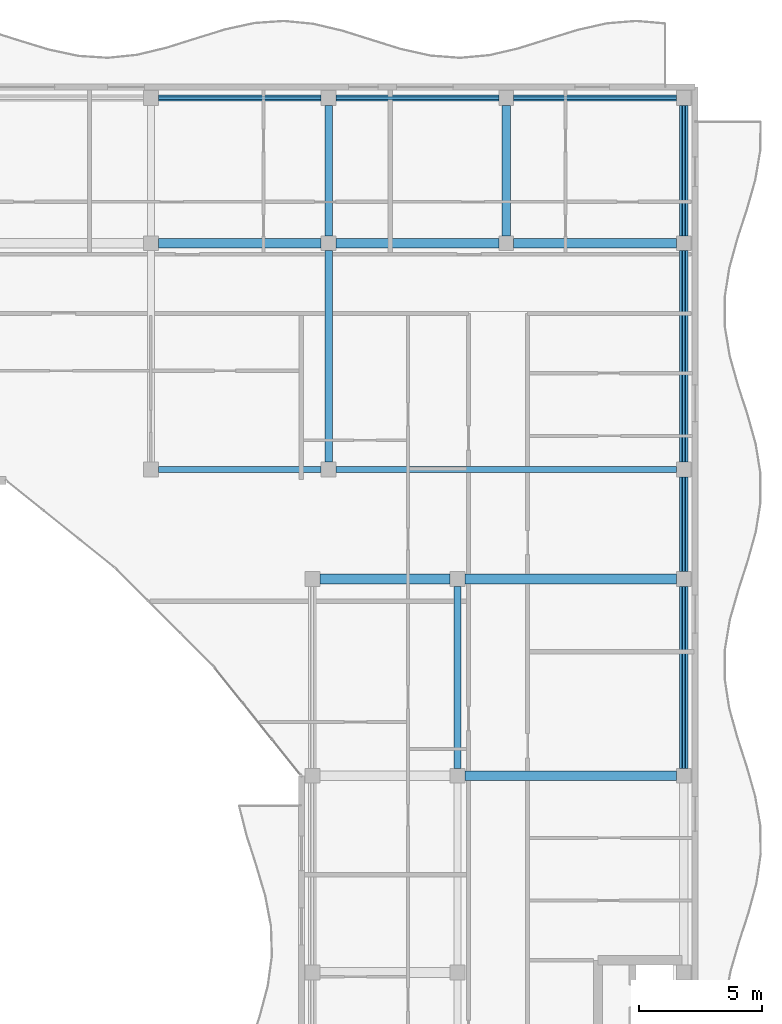
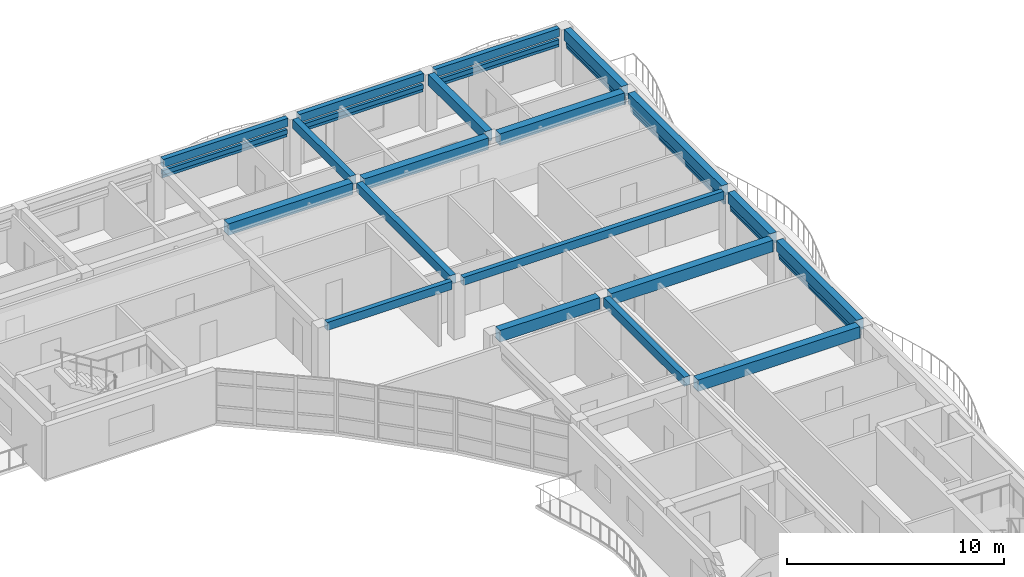
# One storey, part 21 of 71: 19 beams, 14 members.
"""IFC4 building model written with IfcOpenShell, lengths in metres."""

from ifc_helpers import new_model, si_unit, direction, frame, origin, origin_2d, place, context, subcontext, project, spatial, rectangle, hollow_rectangle, extrude, material, material_profile, profile_set, type_object, element, save


model = new_model("IFC4")

# Units and contexts
model_context = context("Model", 3, precision=1e-05, world=origin(), true_north=direction((0.0, 1.0)))
body_context = subcontext(model_context, "Body", "Model", "MODEL_VIEW")
ifc_project = project(units=[si_unit("LENGTHUNIT", "METRE"), si_unit("AREAUNIT", "SQUARE_METRE"), si_unit("VOLUMEUNIT", "CUBIC_METRE"), si_unit("PLANEANGLEUNIT", "RADIAN"), si_unit("MASSUNIT", "GRAM", prefix="KILO")], contexts=[model_context])

# Site, building, storey
site_placement = place(None, origin())
site = spatial("IfcSite", under=ifc_project, at=site_placement, CompositionType="ELEMENT")
building_placement = place(site_placement, origin())
building = spatial("IfcBuilding", under=site, at=building_placement, Name="Keldmere Railside Commons", CompositionType="ELEMENT")
storey_placement = place(building_placement, frame((0.0, 0.0, 20.159912109375)))
storey = spatial("IfcBuildingStorey", under=building, at=storey_placement, Name="L06", CompositionType="ELEMENT", Elevation=20.159912109375)

# Members
ifc_material_1 = material(Name="Steel F-36 (S355)", Category="steel")
ifc_material_profile_1 = material_profile(ifc_material_1, hollow_rectangle(XDim=0.14990234375, YDim=0.25, WallThickness=0.010009765625, at=origin_2d()), Name="RHS-250x150x10")
ifc_profile_set_1 = profile_set([ifc_material_profile_1], Name="Steel F-36 (S355)")
member_type_1 = type_object("IfcMemberType", Name="Balcony Continuous Planted Trough RHS250x150", PredefinedType="CHORD", material=ifc_profile_set_1)
for number, where, z_axis, x_axis, name in (
    (1, (162.18994140625, 115.550048828125, 2.4150390625), (1.0, 0.0, 0.0), (0.0, 1.0, 0.0), "PLT-1 MEM-BPLT-0755"),
    (2, (169.409912109375, 115.550048828125, 2.4150390625), (1.0, 0.0, 0.0), (0.0, 1.0, 0.0), "PLT-1 MEM-BPLT-0757"),
    (3, (176.6298828125, 115.550048828125, 2.4150390625), (1.0, 0.0, 0.0), (0.0, 1.0, 0.0), "PLT-1 MEM-BPLT-0759"),
):
    element("IfcMember", number, at=place(storey_placement, frame(where, z_axis=z_axis, x_axis=x_axis)), inside=storey, type_object=member_type_1, Name=name, PredefinedType="CHORD", context=body_context, shape_type="SweptSolid", body=[
        extrude(hollow_rectangle(XDim=0.14990234375, YDim=0.25, WallThickness=0.010009765625, at=origin_2d()), origin(), (0.0, 0.0, 1.0), 6.6201171875),
    ])
member_1_placement = place(storey_placement, frame((183.550048828125, 88.300048828125, 2.4150390625), z_axis=(0.0, 1.0, 0.0), x_axis=(-1.0, 0.0, 0.0)))
element("IfcMember", 4, at=member_1_placement, inside=storey, type_object=member_type_1, Name="PLT-1 MEM-BPLT-0773", PredefinedType="CHORD", context=body_context, shape_type="SweptSolid", body=[
    extrude(hollow_rectangle(XDim=0.14990234375, YDim=0.25, WallThickness=0.010009765625, at=origin_2d()), origin(), (0.0, 0.0, 1.0), 7.39990234375),
])
member_2_placement = place(storey_placement, frame((183.550048828125, 96.300048828125, 2.4150390625), z_axis=(0.0, 1.0, 0.0), x_axis=(-1.0, 0.0, 0.0)))
element("IfcMember", 5, at=member_2_placement, inside=storey, type_object=member_type_1, Name="PLT-1 MEM-BPLT-0775", PredefinedType="CHORD", context=body_context, shape_type="SweptSolid", body=[
    extrude(hollow_rectangle(XDim=0.14990234375, YDim=0.25, WallThickness=0.010009765625, at=origin_2d()), origin(), (0.0, 0.0, 1.0), 3.849853515625),
])
member_3_placement = place(storey_placement, frame((183.550048828125, 100.75, 2.4150390625), z_axis=(0.0, 1.0, 0.0), x_axis=(-1.0, 0.0, 0.0)))
element("IfcMember", 6, at=member_3_placement, inside=storey, type_object=member_type_1, Name="PLT-1 MEM-BPLT-0777", PredefinedType="CHORD", context=body_context, shape_type="SweptSolid", body=[
    extrude(hollow_rectangle(XDim=0.14990234375, YDim=0.25, WallThickness=0.010009765625, at=origin_2d()), origin(), (0.0, 0.0, 1.0), 8.60009765625),
])
member_4_placement = place(storey_placement, frame((183.550048828125, 109.949951171875, 2.4150390625), z_axis=(0.0, 1.0, 0.0), x_axis=(-1.0, 0.0, 0.0)))
element("IfcMember", 7, at=member_4_placement, inside=storey, type_object=member_type_1, Name="PLT-1 MEM-BPLT-0779", PredefinedType="CHORD", context=body_context, shape_type="SweptSolid", body=[
    extrude(hollow_rectangle(XDim=0.14990234375, YDim=0.25, WallThickness=0.010009765625, at=origin_2d()), origin(), (0.0, 0.0, 1.0), 5.300048828125),
])

# Beams
ifc_material_2 = material(Name="Architectural Precast Concrete H-35 (C35/45)", Category="concrete")
ifc_material_profile_2 = material_profile(ifc_material_2, rectangle(XDim=0.25, YDim=0.449951171875, at=origin_2d()), Name="RC-250x450")
ifc_profile_set_2 = profile_set([ifc_material_profile_2], Name="Architectural Precast Concrete H-35 (C35/45)")
beam_type_1 = type_object("IfcBeamType", Name="Perimeter Precast Spandrel Beam 250x450", PredefinedType="SPANDREL", material=ifc_profile_set_2)
beam_1_placement = place(storey_placement, frame((162.18994140625, 100.449951171875, 2.97509765625), z_axis=(1.0, 0.0, 0.0), x_axis=(0.0, 1.0, 0.0)))
element("IfcBeam", 8, at=beam_1_placement, inside=storey, type_object=beam_type_1, Name="SPB-1 BM-L06-1905", PredefinedType="SPANDREL", context=body_context, shape_type="SweptSolid", body=[
    extrude(rectangle(XDim=0.25, YDim=0.449951171875, at=origin_2d()), origin(), (0.0, 0.0, 1.0), 6.6201171875),
])
beam_2_placement = place(storey_placement, frame((169.409912109375, 100.449951171875, 2.97509765625), z_axis=(1.0, 0.0, 0.0), x_axis=(0.0, 1.0, 0.0)))
element("IfcBeam", 9, at=beam_2_placement, inside=storey, type_object=beam_type_1, Name="SPB-1 BM-L06-1906", PredefinedType="SPANDREL", context=body_context, shape_type="SweptSolid", body=[
    extrude(rectangle(XDim=0.25, YDim=0.449951171875, at=origin_2d()), origin(), (0.0, 0.0, 1.0), 13.840087890625),
])
for number, where, z_axis, x_axis, name in (
    (10, (162.18994140625, 115.550048828125, 2.97509765625), (1.0, 0.0, 0.0), (0.0, 1.0, 0.0), "SPB-1 BM-L06-1939"),
    (11, (169.409912109375, 115.550048828125, 2.97509765625), (1.0, 0.0, 0.0), (0.0, 1.0, 0.0), "SPB-1 BM-L06-1940"),
    (12, (176.6298828125, 115.550048828125, 2.97509765625), (1.0, 0.0, 0.0), (0.0, 1.0, 0.0), "SPB-1 BM-L06-1941"),
):
    element("IfcBeam", number, at=place(storey_placement, frame(where, z_axis=z_axis, x_axis=x_axis)), inside=storey, type_object=beam_type_1, Name=name, PredefinedType="SPANDREL", context=body_context, shape_type="SweptSolid", body=[
        extrude(rectangle(XDim=0.25, YDim=0.449951171875, at=origin_2d()), origin(), (0.0, 0.0, 1.0), 6.6201171875),
    ])
ifc_material_3 = material(Name="Concrete H-30 (C30/37)", Category="concrete")
ifc_material_profile_3 = material_profile(ifc_material_3, rectangle(XDim=0.35009765625, YDim=0.60009765625, at=origin_2d()), Name="RC-350x600")
ifc_profile_set_3 = profile_set([ifc_material_profile_3], Name="Concrete H-30 (C30/37)")
beam_type_2 = type_object("IfcBeamType", Name="Residential Chord RC Beam 350x600", PredefinedType="BEAM", material=ifc_profile_set_3)
beam_3_placement = place(storey_placement, frame((176.330078125, 109.949951171875, 2.900146484375), z_axis=(0.0, 1.0, 0.0), x_axis=(-1.0, 0.0, 0.0)))
element("IfcBeam", 13, at=beam_3_placement, inside=storey, type_object=beam_type_2, Name="BG-4 BM-L06-2013", PredefinedType="BEAM", context=body_context, shape_type="SweptSolid", body=[
    extrude(rectangle(XDim=0.35009765625, YDim=0.60009765625, at=origin_2d()), origin(), (0.0, 0.0, 1.0), 5.300048828125),
])
beam_4_placement = place(storey_placement, frame((183.550048828125, 88.300048828125, 2.900146484375), z_axis=(0.0, 1.0, 0.0), x_axis=(-1.0, 0.0, 0.0)))
element("IfcBeam", 14, at=beam_4_placement, inside=storey, type_object=beam_type_2, Name="BG-4 BM-L06-2016", PredefinedType="BEAM", context=body_context, shape_type="SweptSolid", body=[
    extrude(rectangle(XDim=0.35009765625, YDim=0.60009765625, at=origin_2d()), origin(), (0.0, 0.0, 1.0), 7.39990234375),
])
beam_5_placement = place(storey_placement, frame((183.550048828125, 96.300048828125, 2.900146484375), z_axis=(0.0, 1.0, 0.0), x_axis=(-1.0, 0.0, 0.0)))
element("IfcBeam", 15, at=beam_5_placement, inside=storey, type_object=beam_type_2, Name="BG-4 BM-L06-2017", PredefinedType="BEAM", context=body_context, shape_type="SweptSolid", body=[
    extrude(rectangle(XDim=0.35009765625, YDim=0.60009765625, at=origin_2d()), origin(), (0.0, 0.0, 1.0), 3.849853515625),
])
beam_6_placement = place(storey_placement, frame((183.550048828125, 100.75, 2.900146484375), z_axis=(0.0, 1.0, 0.0), x_axis=(-1.0, 0.0, 0.0)))
element("IfcBeam", 16, at=beam_6_placement, inside=storey, type_object=beam_type_2, Name="BG-4 BM-L06-2018", PredefinedType="BEAM", context=body_context, shape_type="SweptSolid", body=[
    extrude(rectangle(XDim=0.35009765625, YDim=0.60009765625, at=origin_2d()), origin(), (0.0, 0.0, 1.0), 8.60009765625),
])
beam_7_placement = place(storey_placement, frame((183.550048828125, 109.949951171875, 2.900146484375), z_axis=(0.0, 1.0, 0.0), x_axis=(-1.0, 0.0, 0.0)))
element("IfcBeam", 17, at=beam_7_placement, inside=storey, type_object=beam_type_2, Name="BG-4 BM-L06-2019", PredefinedType="BEAM", context=body_context, shape_type="SweptSolid", body=[
    extrude(rectangle(XDim=0.35009765625, YDim=0.60009765625, at=origin_2d()), origin(), (0.0, 0.0, 1.0), 5.300048828125),
])
ifc_material_profile_4 = material_profile(ifc_material_3, rectangle(XDim=0.39990234375, YDim=0.64990234375, at=origin_2d()), Name="RC-400x650")
ifc_profile_set_4 = profile_set([ifc_material_profile_4], Name="Concrete H-30 (C30/37)")
beam_type_3 = type_object("IfcBeamType", Name="Residential Spine RC Girder 400x650", PredefinedType="BEAM", material=ifc_profile_set_4)
beam_8_placement = place(storey_placement, frame((174.64990234375, 88.0, 2.875), z_axis=(1.0, 0.0, 0.0), x_axis=(0.0, 1.0, 0.0)))
element("IfcBeam", 18, at=beam_8_placement, inside=storey, type_object=beam_type_3, Name="BG-3 BM-L06-1888", PredefinedType="BEAM", context=body_context, shape_type="SweptSolid", body=[
    extrude(rectangle(XDim=0.39990234375, YDim=0.64990234375, at=origin_2d()), origin(), (0.0, 0.0, 1.0), 8.60009765625),
])
beam_9_placement = place(storey_placement, frame((168.75, 96.0, 2.875), z_axis=(1.0, 0.0, 0.0), x_axis=(0.0, 1.0, 0.0)))
element("IfcBeam", 19, at=beam_9_placement, inside=storey, type_object=beam_type_3, Name="BG-3 BM-L06-1895", PredefinedType="BEAM", context=body_context, shape_type="SweptSolid", body=[
    extrude(rectangle(XDim=0.39990234375, YDim=0.64990234375, at=origin_2d()), origin(), (0.0, 0.0, 1.0), 5.300048828125),
])
beam_10_placement = place(storey_placement, frame((174.64990234375, 96.0, 2.875), z_axis=(1.0, 0.0, 0.0), x_axis=(0.0, 1.0, 0.0)))
element("IfcBeam", 20, at=beam_10_placement, inside=storey, type_object=beam_type_3, Name="BG-3 BM-L06-1896", PredefinedType="BEAM", context=body_context, shape_type="SweptSolid", body=[
    extrude(rectangle(XDim=0.39990234375, YDim=0.64990234375, at=origin_2d()), origin(), (0.0, 0.0, 1.0), 8.60009765625),
])
for number, where, z_axis, x_axis, name in (
    (21, (162.18994140625, 109.64990234375, 2.875), (1.0, 0.0, 0.0), (0.0, 1.0, 0.0), "BG-3 BM-L06-1923"),
    (22, (169.409912109375, 109.64990234375, 2.875), (1.0, 0.0, 0.0), (0.0, 1.0, 0.0), "BG-3 BM-L06-1924"),
    (23, (176.6298828125, 109.64990234375, 2.875), (1.0, 0.0, 0.0), (0.0, 1.0, 0.0), "BG-3 BM-L06-1925"),
):
    element("IfcBeam", number, at=place(storey_placement, frame(where, z_axis=z_axis, x_axis=x_axis)), inside=storey, type_object=beam_type_3, Name=name, PredefinedType="BEAM", context=body_context, shape_type="SweptSolid", body=[
        extrude(rectangle(XDim=0.39990234375, YDim=0.64990234375, at=origin_2d()), origin(), (0.0, 0.0, 1.0), 6.6201171875),
    ])
ifc_material_profile_5 = material_profile(ifc_material_3, rectangle(XDim=0.300048828125, YDim=0.5, at=origin_2d()), Name="RC-300x500")
ifc_profile_set_5 = profile_set([ifc_material_profile_5], Name="Concrete H-30 (C30/37)")
beam_type_4 = type_object("IfcBeamType", Name="Secondary Frame RC Beam 300x500", PredefinedType="BEAM", material=ifc_profile_set_5)
beam_11_placement = place(storey_placement, frame((169.110107421875, 100.75, 2.9501953125), z_axis=(0.0, 1.0, 0.0), x_axis=(-1.0, 0.0, 0.0)))
element("IfcBeam", 24, at=beam_11_placement, inside=storey, type_object=beam_type_4, Name="BG-5 BM-L06-2006", PredefinedType="BEAM", context=body_context, shape_type="SweptSolid", body=[
    extrude(rectangle(XDim=0.300048828125, YDim=0.5, at=origin_2d()), origin(), (0.0, 0.0, 1.0), 8.60009765625),
])
beam_12_placement = place(storey_placement, frame((169.110107421875, 109.949951171875, 2.9501953125), z_axis=(0.0, 1.0, 0.0), x_axis=(-1.0, 0.0, 0.0)))
element("IfcBeam", 25, at=beam_12_placement, inside=storey, type_object=beam_type_4, Name="BG-5 BM-L06-2007", PredefinedType="BEAM", context=body_context, shape_type="SweptSolid", body=[
    extrude(rectangle(XDim=0.300048828125, YDim=0.5, at=origin_2d()), origin(), (0.0, 0.0, 1.0), 5.300048828125),
])
beam_13_placement = place(storey_placement, frame((174.35009765625, 88.300048828125, 2.9501953125), z_axis=(0.0, 1.0, 0.0), x_axis=(-1.0, 0.0, 0.0)))
element("IfcBeam", 26, at=beam_13_placement, inside=storey, type_object=beam_type_4, Name="BG-5 BM-L06-2012", PredefinedType="BEAM", context=body_context, shape_type="SweptSolid", body=[
    extrude(rectangle(XDim=0.300048828125, YDim=0.5, at=origin_2d()), origin(), (0.0, 0.0, 1.0), 7.39990234375),
])

# Members
ifc_material_profile_6 = material_profile(ifc_material_1, hollow_rectangle(XDim=0.10009765625, YDim=0.159912109375, WallThickness=0.008056640625, at=origin_2d()), Name="RHS-160x100x8")
ifc_profile_set_6 = profile_set([ifc_material_profile_6], Name="Steel F-36 (S355)")
member_type_2 = type_object("IfcMemberType", Name="Solar Brise-Soleil Louvre Fin RHS160x100", PredefinedType="STRUT", material=ifc_profile_set_6)
for number, where, z_axis, x_axis, name in (
    (27, (162.18994140625, 115.550048828125, 2.2001953125), (1.0, 0.0, 0.0), (0.0, 1.0, 0.0), "BSF-1 MEM-BSF-0756"),
    (28, (169.409912109375, 115.550048828125, 2.2001953125), (1.0, 0.0, 0.0), (0.0, 1.0, 0.0), "BSF-1 MEM-BSF-0758"),
    (29, (176.6298828125, 115.550048828125, 2.2001953125), (1.0, 0.0, 0.0), (0.0, 1.0, 0.0), "BSF-1 MEM-BSF-0760"),
):
    element("IfcMember", number, at=place(storey_placement, frame(where, z_axis=z_axis, x_axis=x_axis)), inside=storey, type_object=member_type_2, Name=name, PredefinedType="STRUT", context=body_context, shape_type="SweptSolid", body=[
        extrude(hollow_rectangle(XDim=0.10009765625, YDim=0.159912109375, WallThickness=0.008056640625, at=origin_2d()), origin(), (0.0, 0.0, 1.0), 6.6201171875),
    ])
member_5_placement = place(storey_placement, frame((183.550048828125, 88.300048828125, 2.2001953125), z_axis=(0.0, 1.0, 0.0), x_axis=(-1.0, 0.0, 0.0)))
element("IfcMember", 30, at=member_5_placement, inside=storey, type_object=member_type_2, Name="BSF-1 MEM-BSF-0774", PredefinedType="STRUT", context=body_context, shape_type="SweptSolid", body=[
    extrude(hollow_rectangle(XDim=0.10009765625, YDim=0.159912109375, WallThickness=0.008056640625, at=origin_2d()), origin(), (0.0, 0.0, 1.0), 7.39990234375),
])
member_6_placement = place(storey_placement, frame((183.550048828125, 96.300048828125, 2.2001953125), z_axis=(0.0, 1.0, 0.0), x_axis=(-1.0, 0.0, 0.0)))
element("IfcMember", 31, at=member_6_placement, inside=storey, type_object=member_type_2, Name="BSF-1 MEM-BSF-0776", PredefinedType="STRUT", context=body_context, shape_type="SweptSolid", body=[
    extrude(hollow_rectangle(XDim=0.10009765625, YDim=0.159912109375, WallThickness=0.008056640625, at=origin_2d()), origin(), (0.0, 0.0, 1.0), 3.849853515625),
])
member_7_placement = place(storey_placement, frame((183.550048828125, 100.75, 2.2001953125), z_axis=(0.0, 1.0, 0.0), x_axis=(-1.0, 0.0, 0.0)))
element("IfcMember", 32, at=member_7_placement, inside=storey, type_object=member_type_2, Name="BSF-1 MEM-BSF-0778", PredefinedType="STRUT", context=body_context, shape_type="SweptSolid", body=[
    extrude(hollow_rectangle(XDim=0.10009765625, YDim=0.159912109375, WallThickness=0.008056640625, at=origin_2d()), origin(), (0.0, 0.0, 1.0), 8.60009765625),
])
member_8_placement = place(storey_placement, frame((183.550048828125, 109.949951171875, 2.2001953125), z_axis=(0.0, 1.0, 0.0), x_axis=(-1.0, 0.0, 0.0)))
element("IfcMember", 33, at=member_8_placement, inside=storey, type_object=member_type_2, Name="BSF-1 MEM-BSF-0780", PredefinedType="STRUT", context=body_context, shape_type="SweptSolid", body=[
    extrude(hollow_rectangle(XDim=0.10009765625, YDim=0.159912109375, WallThickness=0.008056640625, at=origin_2d()), origin(), (0.0, 0.0, 1.0), 5.300048828125),
])

save(model, "model.ifc")
